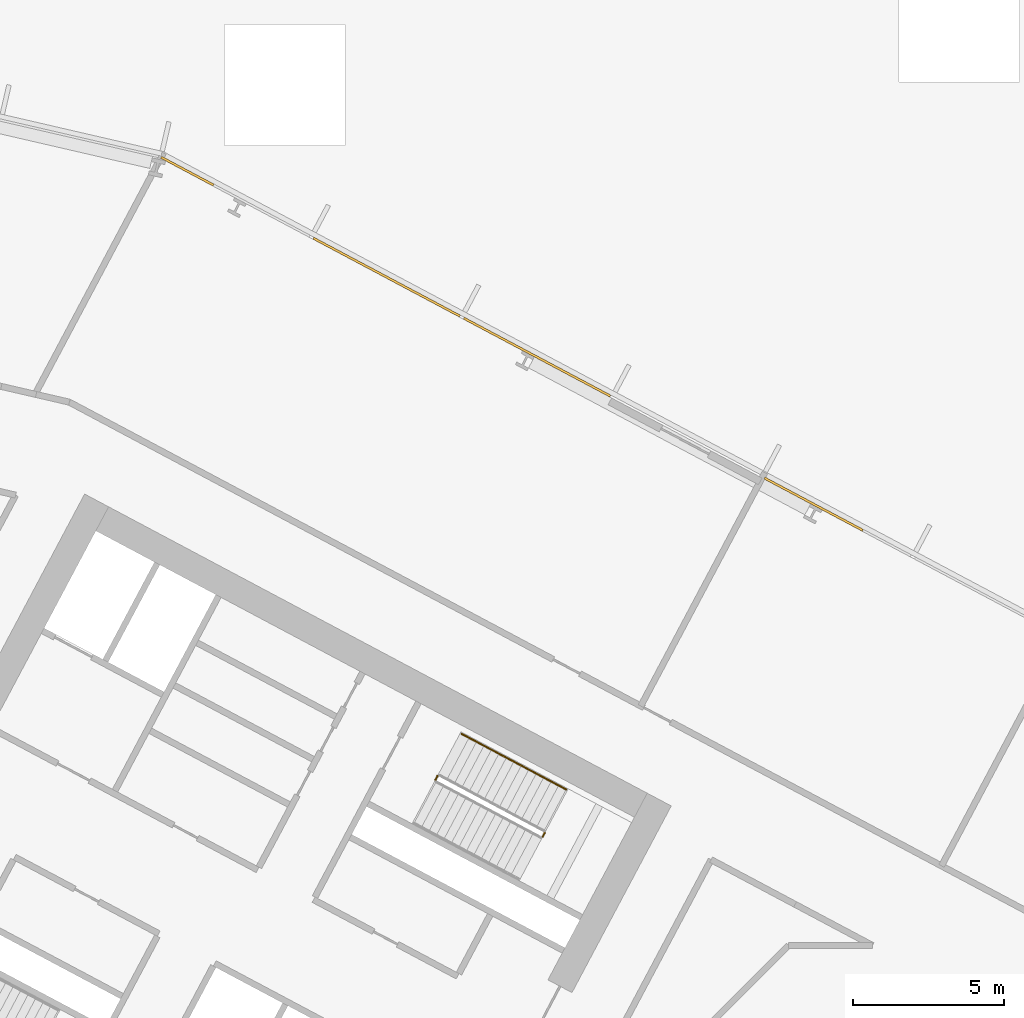
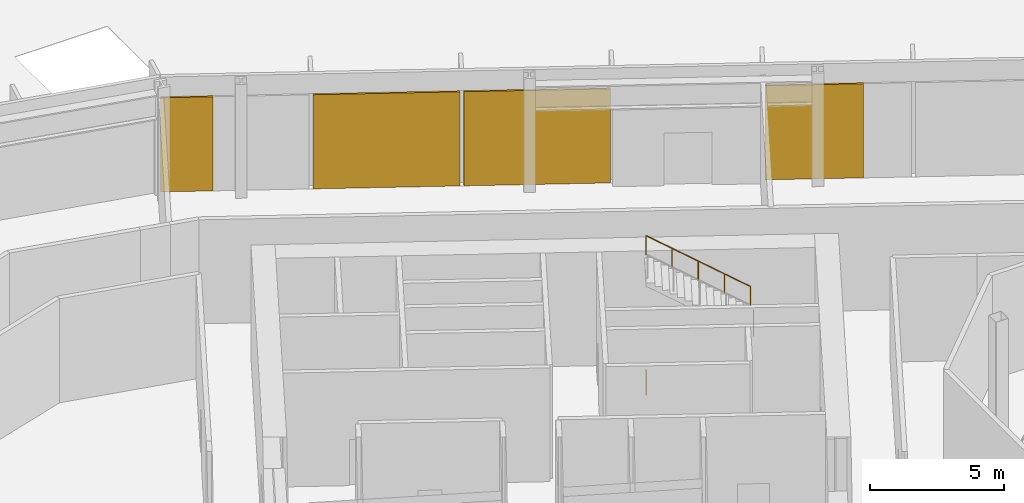
# One storey, part 24 of 30: 4 coverings, 3 railings, 1 element without a shape of its own.
"""IFC4 building model written with IfcOpenShell, lengths in metres."""

from ifc_helpers import new_model, si_unit, direction, frame, origin, origin_2d, place, context, subcontext, project, spatial, polyline, rectangle, outline, extrude, material, layer, layer_set, type_object, element, aggregate, save


model = new_model("IFC4")

# Units and contexts
model_context = context("Model", 3, precision=1e-05, world=origin(), true_north=direction((0.0, 1.0)))
body_context = subcontext(model_context, "Body", "Model", "MODEL_VIEW")
ifc_project = project(units=[si_unit("LENGTHUNIT", "METRE"), si_unit("AREAUNIT", "SQUARE_METRE"), si_unit("VOLUMEUNIT", "CUBIC_METRE"), si_unit("PLANEANGLEUNIT", "RADIAN"), si_unit("MASSUNIT", "GRAM", prefix="KILO")], contexts=[model_context])

# Site, building, storey
site_placement = place(None, origin())
site = spatial("IfcSite", under=ifc_project, at=site_placement, CompositionType="ELEMENT")
building_placement = place(site_placement, origin())
building = spatial("IfcBuilding", under=site, at=building_placement, Name="Cormorant Relay Tower", CompositionType="ELEMENT")
storey_placement = place(building_placement, frame((0.0, 0.0, 7.0)))
storey = spatial("IfcBuildingStorey", under=building, at=storey_placement, Name="L01", CompositionType="ELEMENT", Elevation=7.0)

# Curtain wall, coverings
ifc_material_1 = material(Name="Aluminium 6063-T6 anodised bronze", Category="aluminium")
ifc_layer_1 = layer(ifc_material_1, 0.235107421875)
ifc_layer_set_1 = layer_set([ifc_layer_1], Name="CW6 data hall curtain wall with mineral wool panels")
curtain_wall_type = type_object("IfcCurtainWallType", Name="CW6 data hall curtain wall with mineral wool panels", PredefinedType="NOTDEFINED", material=ifc_layer_set_1)
curtain_wall_placement = place(storey_placement, origin())
curtain_wall = element("IfcCurtainWall", 1, at=curtain_wall_placement, inside=storey, type_object=curtain_wall_type, Name="CW6 curtain wall 7", PredefinedType="NOTDEFINED")
ifc_material_2 = material(Name="Mineral wool cored anodised bronze aluminium cassette panel", Category="aluminium")
ifc_layer_2 = layer(ifc_material_2, 0.074951171875)
ifc_layer_set_2 = layer_set([ifc_layer_2], Name="CW6 mineral wool cassette panel 75")
covering_type = type_object("IfcCoveringType", Name="CW6 mineral wool cassette panel 75", PredefinedType="CLADDING", material=ifc_layer_set_2)
covering_1_placement = place(storey_placement, frame((-8.24560546875, 28.210693359375, 0.0), z_axis=(0.0, 0.0, 1.0), x_axis=(-0.882947592859, 0.469471562786, 0.0)))
covering_1 = element("IfcCovering", 2, at=covering_1_placement, type_object=covering_type, Name="CW6 panel S02", PredefinedType="CLADDING", context=body_context, shape_type="SweptSolid", body=[
    extrude(rectangle(XDim=3.68896484375, YDim=0.074951171875, at=origin_2d()), origin(), (0.0, 0.0, 1.0), 4.300048828125),
])
covering_2_placement = place(storey_placement, frame((-17.40869140625, 33.082763671875, 0.0), z_axis=(0.0, 0.0, 1.0), x_axis=(-0.882947592859, 0.469471562786, 0.0)))
covering_2 = element("IfcCovering", 3, at=covering_2_placement, type_object=covering_type, Name="CW6 panel S04", PredefinedType="CLADDING", context=body_context, shape_type="SweptSolid", body=[
    extrude(rectangle(XDim=5.489013671875, YDim=0.074951171875, at=origin_2d()), origin(), (0.0, 0.0, 1.0), 4.300048828125),
])
covering_3_placement = place(storey_placement, frame((-22.3876953125, 35.730224609375, 0.0), z_axis=(0.0, 0.0, 1.0), x_axis=(-0.882947592859, 0.469471562786, 0.0)))
covering_3 = element("IfcCovering", 4, at=covering_3_placement, type_object=covering_type, Name="CW6 panel S05", PredefinedType="CLADDING", context=body_context, shape_type="SweptSolid", body=[
    extrude(rectangle(XDim=5.489013671875, YDim=0.074951171875, at=origin_2d()), origin(), (0.0, 0.0, 1.0), 4.300048828125),
])
covering_4_placement = place(storey_placement, frame((-28.989013671875, 39.240234375, 0.0), z_axis=(0.0, 0.0, 1.0), x_axis=(-0.882947592859, 0.469471562786, 0.0)))
covering_4 = element("IfcCovering", 5, at=covering_4_placement, type_object=covering_type, Name="CW6 panel S07", PredefinedType="CLADDING", context=body_context, shape_type="SweptSolid", body=[
    extrude(rectangle(XDim=1.964111328125, YDim=0.074951171875, at=origin_2d()), origin(), (0.0, 0.0, 1.0), 4.300048828125),
])
aggregate(curtain_wall, [covering_1, covering_2, covering_3, covering_4])

# Railings
ifc_material_3 = material(Name="Steel ASTM A572 Grade 50 (Fy 345 MPa)", Category="steel")
railing_type_1 = type_object("IfcRailingType", Name="Stair guard 1100", PredefinedType="GUARDRAIL", material=ifc_material_3)
railing_1_placement = place(storey_placement, frame((-17.2216796875, 17.1982421875, 2.60009765625)))
element("IfcRailing", 6, at=railing_1_placement, inside=storey, type_object=railing_type_1, Name="L01 A1 stair guard 2", PredefinedType="GUARDRAIL", context=body_context, shape_type="SweptSolid", body=[
    extrude(outline(polyline([(0.022216796875, 0.00927734375), (0.00927734375, 0.022216796875), (-0.00927734375, 0.022216796875), (-0.022216796875, 0.00927734375), (-0.022216796875, -0.00927734375), (-0.00927734375, -0.022216796875), (0.00927734375, -0.022216796875), (0.022216796875, -0.00927734375), (0.022216796875, 0.00927734375)])), frame((0.0, 0.0, 1.076171875), z_axis=(0.469234640946, 0.883073525669, 0.0), x_axis=(-0.883073525669, 0.469234640946, 0.0)), (0.0, 0.0, 1.0), 0.14990234375),
    extrude(outline(polyline([(0.019287109375, 0.008056640625), (0.008056640625, 0.019287109375), (-0.008056640625, 0.019287109375), (-0.019287109375, 0.008056640625), (-0.019287109375, -0.008056640625), (-0.008056640625, -0.019287109375), (0.008056640625, -0.019287109375), (0.019287109375, -0.008056640625), (0.019287109375, 0.008056640625)])), origin(), (0.0, 0.0, 1.0), 1.052001953125),
    extrude(outline(polyline([(0.019287109375, 0.008056640625), (0.008056640625, 0.019287109375), (-0.008056640625, 0.019287109375), (-0.019287109375, 0.008056640625), (-0.019287109375, -0.008056640625), (-0.008056640625, -0.019287109375), (0.008056640625, -0.019287109375), (0.019287109375, -0.008056640625), (0.019287109375, 0.008056640625)])), frame((0.0703125, 0.13232421875, 0.0)), (0.0, 0.0, 1.0), 1.052001953125),
])
railing_2_placement = place(storey_placement, frame((-20.771240234375, 19.08544921875, 0.0)))
element("IfcRailing", 7, at=railing_2_placement, inside=storey, type_object=railing_type_1, Name="L01 A1 stair guard 4", PredefinedType="GUARDRAIL", context=body_context, shape_type="SweptSolid", body=[
    extrude(outline(polyline([(0.022216796875, 0.00927734375), (0.00927734375, 0.022216796875), (-0.00927734375, 0.022216796875), (-0.022216796875, 0.00927734375), (-0.022216796875, -0.00927734375), (-0.00927734375, -0.022216796875), (0.00927734375, -0.022216796875), (0.022216796875, -0.00927734375), (0.022216796875, 0.00927734375)])), frame((0.0, 0.0, 1.076171875), z_axis=(0.469828648786, 0.882757634224, 0.0), x_axis=(-0.882757634224, 0.469828648786, 0.0)), (0.0, 0.0, 1.0), 0.150146484375),
    extrude(outline(polyline([(0.019287109375, 0.008056640625), (0.008056640625, 0.019287109375), (-0.008056640625, 0.019287109375), (-0.019287109375, 0.008056640625), (-0.019287109375, -0.008056640625), (-0.008056640625, -0.019287109375), (0.008056640625, -0.019287109375), (0.019287109375, -0.008056640625), (0.019287109375, 0.008056640625)])), origin(), (0.0, 0.0, 1.0), 1.052001953125),
    extrude(outline(polyline([(0.019287109375, 0.008056640625), (0.008056640625, 0.019287109375), (-0.008056640625, 0.019287109375), (-0.019287109375, 0.008056640625), (-0.019287109375, -0.008056640625), (-0.008056640625, -0.019287109375), (0.008056640625, -0.019287109375), (0.019287109375, -0.008056640625), (0.019287109375, 0.008056640625)])), frame((0.070556640625, 0.132568359375, 0.0)), (0.0, 0.0, 1.0), 1.052001953125),
])
ifc_material_4 = material(Name="Steel ASTM A572 Grade 50 (Fy 345 MPa)", Category="steel")
railing_type_2 = type_object("IfcRailingType", Name="Stair handrail 900", PredefinedType="HANDRAIL", material=ifc_material_4)
railing_3_placement = place(storey_placement, frame((-16.4443359375, 18.766845703125, 2.7734375)))
element("IfcRailing", 8, at=railing_3_placement, inside=storey, type_object=railing_type_2, Name="L01 A1 stair handrail 2", PredefinedType="HANDRAIL", context=body_context, shape_type="SweptSolid", body=[
    extrude(outline(polyline([(0.022216796875, 0.00927734375), (0.00927734375, 0.022216796875), (-0.00927734375, 0.022216796875), (-0.022216796875, 0.00927734375), (-0.022216796875, -0.00927734375), (-0.00927734375, -0.022216796875), (0.00927734375, -0.022216796875), (0.022216796875, -0.00927734375), (0.022216796875, 0.00927734375)])), frame((0.0, 0.0, 0.8759765625), z_axis=(-0.75075501281, 0.399181158677, 0.526328142225), x_axis=(-0.469469396681, -0.882948744594, 0.0)), (0.0, 0.0, 1.0), 4.6103515625),
    extrude(outline(polyline([(0.019287109375, 0.008056640625), (0.008056640625, 0.019287109375), (-0.008056640625, 0.019287109375), (-0.019287109375, 0.008056640625), (-0.019287109375, -0.008056640625), (-0.008056640625, -0.019287109375), (0.008056640625, -0.019287109375), (0.019287109375, -0.008056640625), (0.019287109375, 0.008056640625)])), origin(), (0.0, 0.0, 1.0), 0.851806640625),
    extrude(outline(polyline([(0.019287109375, 0.008056640625), (0.008056640625, 0.019287109375), (-0.008056640625, 0.019287109375), (-0.019287109375, 0.008056640625), (-0.019287109375, -0.008056640625), (-0.008056640625, -0.019287109375), (0.008056640625, -0.019287109375), (0.019287109375, -0.008056640625), (0.019287109375, 0.008056640625)])), frame((-0.865234375, 0.4599609375, 0.606689453125)), (0.0, 0.0, 1.0), 0.851806640625),
    extrude(outline(polyline([(0.019287109375, 0.008056640625), (0.008056640625, 0.019287109375), (-0.008056640625, 0.019287109375), (-0.019287109375, 0.008056640625), (-0.019287109375, -0.008056640625), (-0.008056640625, -0.019287109375), (0.008056640625, -0.019287109375), (0.019287109375, -0.008056640625), (0.019287109375, 0.008056640625)])), frame((-1.73046875, 0.920166015625, 1.21337890625)), (0.0, 0.0, 1.0), 0.851806640625),
    extrude(outline(polyline([(0.019287109375, 0.008056640625), (0.008056640625, 0.019287109375), (-0.008056640625, 0.019287109375), (-0.019287109375, 0.008056640625), (-0.019287109375, -0.008056640625), (-0.008056640625, -0.019287109375), (0.008056640625, -0.019287109375), (0.019287109375, -0.008056640625), (0.019287109375, 0.008056640625)])), frame((-2.595947265625, 1.38037109375, 1.81982421875)), (0.0, 0.0, 1.0), 0.851806640625),
    extrude(outline(polyline([(0.019287109375, 0.008056640625), (0.008056640625, 0.019287109375), (-0.008056640625, 0.019287109375), (-0.019287109375, 0.008056640625), (-0.019287109375, -0.008056640625), (-0.008056640625, -0.019287109375), (0.008056640625, -0.019287109375), (0.019287109375, -0.008056640625), (0.019287109375, 0.008056640625)])), frame((-3.461181640625, 1.84033203125, 2.426513671875)), (0.0, 0.0, 1.0), 0.851806640625),
])

save(model, "model.ifc")
